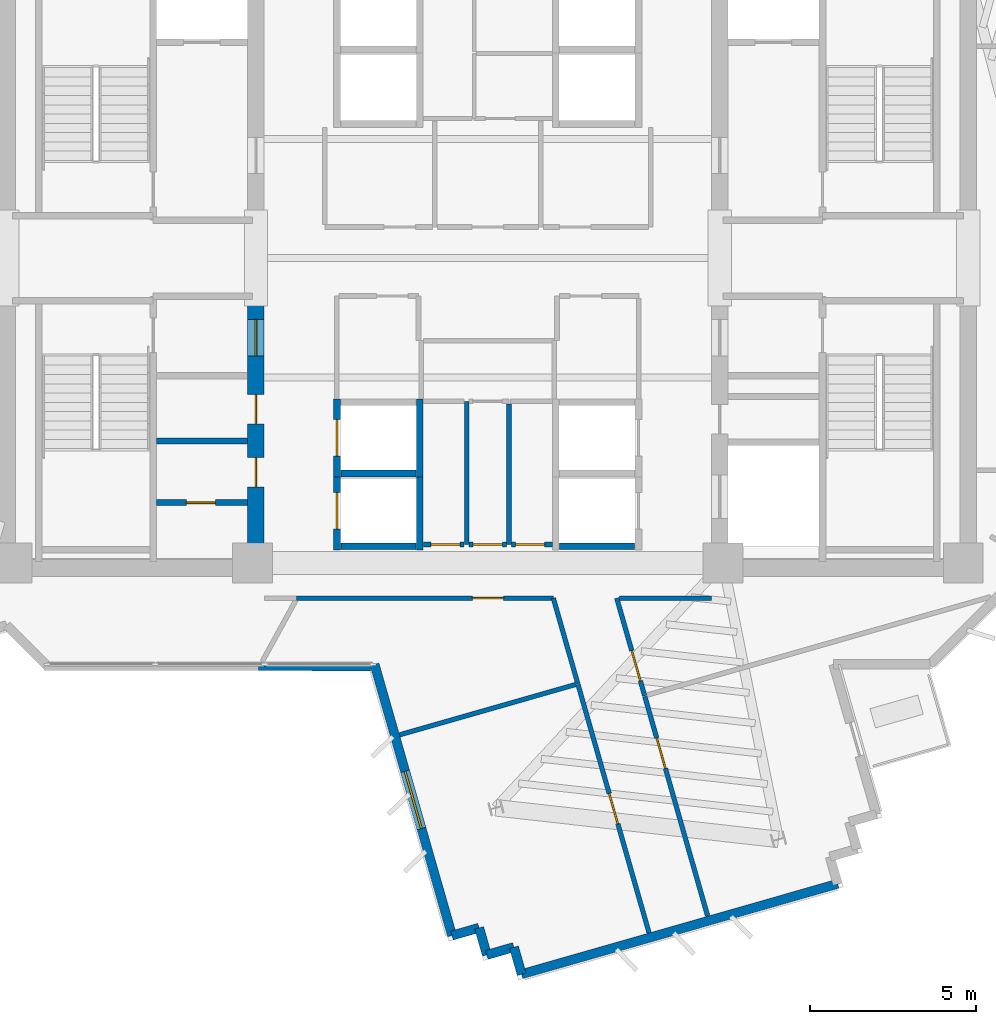
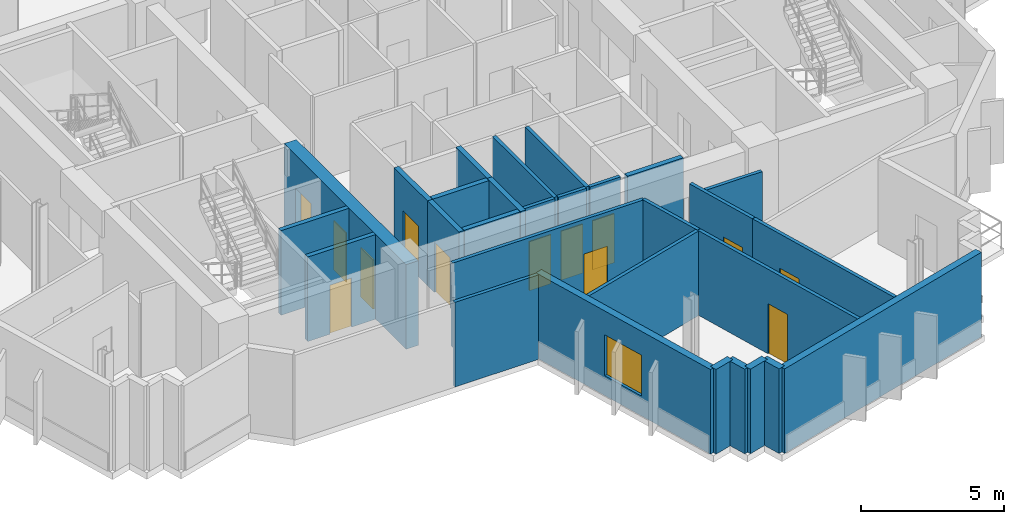
# One storey, part 5 of 14: 29 walls, 13 doors, 1 window, 14 openings.
"""IFC4 building model written with IfcOpenShell, lengths in metres."""

from ifc_helpers import new_model, si_unit, direction, frame, frame_2d, origin, place, context, subcontext, project, spatial, rectangle, extrude, source, transform, mapped, material, layer, layer_set, type_object, element, fill, save


model = new_model("IFC4")

# Units and contexts
model_context = context("Model", 3, precision=1e-05, world=origin(), true_north=direction((0.0, 1.0)))
body_context = subcontext(model_context, "Body", "Model", "MODEL_VIEW")
ifc_project = project(units=[si_unit("LENGTHUNIT", "METRE"), si_unit("AREAUNIT", "SQUARE_METRE"), si_unit("VOLUMEUNIT", "CUBIC_METRE"), si_unit("PLANEANGLEUNIT", "RADIAN"), si_unit("MASSUNIT", "GRAM", prefix="KILO")], contexts=[model_context])

# Site, building, storey
site_placement = place(None, origin())
site = spatial("IfcSite", under=ifc_project, at=site_placement, CompositionType="ELEMENT")
building_placement = place(site_placement, origin())
building = spatial("IfcBuilding", under=site, at=building_placement, Name="Zahravan Cultural Tower", CompositionType="ELEMENT")
storey_placement = place(building_placement, frame((0.0, 0.0, 209.699951171875)))
storey = spatial("IfcBuildingStorey", under=building, at=storey_placement, Name="L49", CompositionType="ELEMENT", Elevation=209.699951171875)

# Wall, openings, doors
ifc_material_1 = material(Name="Concrete C60/75", Category="concrete")
ifc_layer_1 = layer(ifc_material_1, 0.5)
ifc_layer_set_1 = layer_set([ifc_layer_1], Name="Concrete C60/75")
wall_type_1 = type_object("IfcWallType", Name="CW-SHEAR-500-C60", PredefinedType="SHEAR", material=ifc_layer_set_1)
wall_1_placement = place(storey_placement, frame((29.0, 17.39990234375, 0.0), z_axis=(0.0, 0.0, 1.0), x_axis=(0.0, 1.0, 0.0)))
wall_1 = element("IfcWall", 1, at=wall_1_placement, inside=storey, type_object=wall_type_1, Name="L49 Core Shear Wall CW-W-ES-L49", PredefinedType="SHEAR", context=body_context, shape_type="SweptSolid", body=[
    extrude(rectangle(XDim=8.550048828125, YDim=0.5, at=frame_2d((4.27490234375, 0.0))), origin(), (0.0, 0.0, 1.0), 3.6201171875),
])
opening_1_placement = place(wall_1_placement, frame((6.64990234375, 0.0, 0.0)))
opening_1 = element("IfcOpeningElement", 2, at=opening_1_placement, cuts=wall_1, Name="Opening D-L49-07", PredefinedType="OPENING", context=body_context, shape_type="SweptSolid", body=[
    extrude(rectangle(XDim=1.10009765625, YDim=2.199951171875, at=frame_2d((0.550048828125, 1.10009765625))), frame((0.0, 0.260009765625, 0.0), z_axis=(0.0, -1.0, 0.0), x_axis=(1.0, 0.0, 0.0)), (0.0, 0.0, 1.0), 0.52001953125),
])
opening_2_placement = place(wall_1_placement, frame((2.699951171875, 0.0, 0.0)))
opening_2 = element("IfcOpeningElement", 3, at=opening_2_placement, cuts=wall_1, Name="Opening D-L49-10", PredefinedType="OPENING", context=body_context, shape_type="SweptSolid", body=[
    extrude(rectangle(XDim=0.8798828125, YDim=2.10009765625, at=frame_2d((0.43994140625, 1.050048828125))), frame((0.0, 0.260009765625, 0.0), z_axis=(0.0, -1.0, 0.0), x_axis=(1.0, 0.0, 0.0)), (0.0, 0.0, 1.0), 0.52001953125),
])
opening_3_placement = place(wall_1_placement, frame((4.60009765625, 0.0, 0.0)))
opening_3 = element("IfcOpeningElement", 4, at=opening_3_placement, cuts=wall_1, Name="Opening D-L49-11", PredefinedType="OPENING", context=body_context, shape_type="SweptSolid", body=[
    extrude(rectangle(XDim=0.8798828125, YDim=2.10009765625, at=frame_2d((0.43994140625, 1.050048828125))), frame((0.0, 0.260009765625, 0.0), z_axis=(0.0, -1.0, 0.0), x_axis=(1.0, 0.0, 0.0)), (0.0, 0.0, 1.0), 0.52001953125),
])
ifc_material_2 = material(Name="Steel ASTM A572 Grade 50", Category="steel")
door_type_1 = type_object("IfcDoorType", Name="DR-LOBBY-1100", OperationType="NOTDEFINED", PredefinedType="DOOR", material=ifc_material_2)
shared_shape_1 = source(origin(), body_context, "Body", "SweptSolid", [
    extrude(rectangle(XDim=1.10009765625, YDim=2.199951171875, at=frame_2d((0.550048828125, 1.10009765625))), frame((0.0, 0.02490234375, 0.0), z_axis=(0.0, -1.0, 0.0), x_axis=(1.0, 0.0, 0.0)), (0.0, 0.0, 1.0), 0.050048828125),
])
door_1_placement = place(opening_1_placement, origin())
door_1 = element("IfcDoor", 5, at=door_1_placement, inside=storey, type_object=door_type_1, Name="L49 Door D-L49-07", OperationType="SINGLE_SWING_LEFT", OverallHeight=2.199951171875, OverallWidth=1.10009765625, PredefinedType="DOOR", context=body_context, shape_type="MappedRepresentation", body=[
    mapped(shared_shape_1, transform((0.0, 0.0, 0.0), x_axis=(1.0, 0.0, 0.0), y_axis=(0.0, 1.0, 0.0), z_axis=(0.0, 0.0, 1.0), scale=1.0)),
])
fill(opening_1, door_1)
door_type_2 = type_object("IfcDoorType", Name="DR-SVC-880", OperationType="NOTDEFINED", PredefinedType="DOOR", material=ifc_material_2)
shared_shape_2 = source(origin(), body_context, "Body", "SweptSolid", [
    extrude(rectangle(XDim=0.8798828125, YDim=2.10009765625, at=frame_2d((0.43994140625, 1.050048828125))), frame((0.0, 0.02490234375, 0.0), z_axis=(0.0, -1.0, 0.0), x_axis=(1.0, 0.0, 0.0)), (0.0, 0.0, 1.0), 0.050048828125),
])
door_2_placement = place(opening_2_placement, origin())
door_2 = element("IfcDoor", 6, at=door_2_placement, inside=storey, type_object=door_type_2, Name="L49 Door D-L49-10", OperationType="SINGLE_SWING_RIGHT", OverallHeight=2.10009765625, OverallWidth=0.8798828125, PredefinedType="DOOR", context=body_context, shape_type="MappedRepresentation", body=[
    mapped(shared_shape_2, transform((0.0, 0.0, 0.0), x_axis=(1.0, 0.0, 0.0), y_axis=(0.0, 1.0, 0.0), z_axis=(0.0, 0.0, 1.0), scale=1.0)),
])
fill(opening_2, door_2)
door_3_placement = place(opening_3_placement, origin())
door_3 = element("IfcDoor", 7, at=door_3_placement, inside=storey, type_object=door_type_2, Name="L49 Door D-L49-11", OperationType="SINGLE_SWING_LEFT", OverallHeight=2.10009765625, OverallWidth=0.8798828125, PredefinedType="DOOR", context=body_context, shape_type="MappedRepresentation", body=[
    mapped(shared_shape_2, transform((0.0, 0.0, 0.0), x_axis=(1.0, 0.0, 0.0), y_axis=(0.0, 1.0, 0.0), z_axis=(0.0, 0.0, 1.0), scale=1.0)),
])
fill(opening_3, door_3)

# Wall, opening, window
ifc_material_3 = material(Name="Precast concrete C40/50", Category="concrete")
ifc_layer_2 = layer(ifc_material_3, 0.280029296875)
ifc_layer_set_2 = layer_set([ifc_layer_2], Name="Precast concrete C40/50")
wall_type_2 = type_object("IfcWallType", Name="EW-TC-280", PredefinedType="SOLIDWALL", material=ifc_layer_set_2)
wall_2_placement = place(storey_placement, frame((34.920166015625, 6.554931640625, 0.0), z_axis=(0.0, 0.0, 1.0), x_axis=(-0.27496352843, 0.961454657295, 0.0)))
wall_2 = element("IfcWall", 8, at=wall_2_placement, inside=storey, type_object=wall_type_2, Name="L49 Exterior Masonry Frame Wall 25", PredefinedType="SOLIDWALL", context=body_context, shape_type="SweptSolid", body=[
    extrude(rectangle(XDim=8.51318359375, YDim=0.280029296875, at=frame_2d((4.256591796875, 0.0))), origin(), (0.0, 0.0, 1.0), 3.6201171875),
])
opening_4_placement = place(wall_2_placement, frame((3.35693359375, 0.0, 0.85009765625)))
opening_4 = element("IfcOpeningElement", 9, at=opening_4_placement, cuts=wall_2, Name="Opening WN-02", PredefinedType="OPENING", context=body_context, shape_type="SweptSolid", body=[
    extrude(rectangle(XDim=1.800048828125, YDim=1.75, at=frame_2d((0.89990234375, 0.875))), frame((0.0, 0.14990234375, 0.0), z_axis=(0.0, -1.0, 0.0), x_axis=(1.0, 0.0, 0.0)), (0.0, 0.0, 1.0), 0.300048828125),
])
ifc_material_4 = material(Name="Low-E solar-control double glazing", Category="glass")
window_type = type_object("IfcWindowType", Name="WN-REC-1800X1750", PartitioningType="DOUBLE_PANEL_VERTICAL", PredefinedType="WINDOW", material=ifc_material_4)
shared_shape_3 = source(origin(), body_context, "Body", "SweptSolid", [
    extrude(rectangle(XDim=1.800048828125, YDim=1.75, at=frame_2d((0.89990234375, 0.875))), frame((0.0, 0.030029296875, 0.0), z_axis=(0.0, -1.0, 0.0), x_axis=(1.0, 0.0, 0.0)), (0.0, 0.0, 1.0), 0.06005859375),
])
window_placement = place(opening_4_placement, origin())
window = element("IfcWindow", 10, at=window_placement, inside=storey, type_object=window_type, Name="L49 Recessed Solar Window 03", OverallHeight=1.75, OverallWidth=1.800048828125, PartitioningType="DOUBLE_PANEL_VERTICAL", PredefinedType="WINDOW", context=body_context, shape_type="MappedRepresentation", body=[
    mapped(shared_shape_3, transform((0.0, 0.0, 0.0), x_axis=(1.0, 0.0, 0.0), y_axis=(0.0, 1.0, 0.0), z_axis=(0.0, 0.0, 1.0), scale=1.0)),
])
fill(opening_4, window)

# Wall, opening, door
ifc_material_5 = material(Name="Gypsum plasterboard partition")
ifc_layer_3 = layer(ifc_material_5, 0.179931640625)
ifc_layer_set_3 = layer_set([ifc_layer_3], Name="Gypsum plasterboard partition")
wall_type_3 = type_object("IfcWallType", Name="W-COMP-180", PredefinedType="PARTITIONING", material=ifc_layer_set_3)
wall_3_placement = place(storey_placement, frame((26.0, 19.6201171875, 0.0), z_axis=(0.0, 0.0, 1.0), x_axis=(1.0, 0.0, 0.0)))
wall_3 = element("IfcWall", 11, at=wall_3_placement, inside=storey, type_object=wall_type_3, Name="L49 Interior Wall 026", PredefinedType="PARTITIONING", context=body_context, shape_type="SweptSolid", body=[
    extrude(rectangle(XDim=2.75, YDim=0.179931640625, at=frame_2d((1.375, 0.0))), origin(), (0.0, 0.0, 1.0), 3.6201171875),
])
opening_5_placement = place(wall_3_placement, frame((0.89990234375, 0.0, 0.0)))
opening_5 = element("IfcOpeningElement", 12, at=opening_5_placement, cuts=wall_3, Name="Opening D-L49-09", PredefinedType="OPENING", context=body_context, shape_type="SweptSolid", body=[
    extrude(rectangle(XDim=0.8798828125, YDim=2.10009765625, at=frame_2d((0.43994140625, 1.050048828125))), frame((0.0, 0.099853515625, 0.0), z_axis=(0.0, -1.0, 0.0), x_axis=(1.0, 0.0, 0.0)), (0.0, 0.0, 1.0), 0.199951171875),
])
door_4_placement = place(opening_5_placement, origin())
door_4 = element("IfcDoor", 13, at=door_4_placement, inside=storey, type_object=door_type_2, Name="L49 Door D-L49-09", OperationType="SINGLE_SWING_LEFT", OverallHeight=2.10009765625, OverallWidth=0.8798828125, PredefinedType="DOOR", context=body_context, shape_type="MappedRepresentation", body=[
    mapped(shared_shape_2, transform((0.0, 0.0, 0.0), x_axis=(1.0, 0.0, 0.0), y_axis=(0.0, 1.0, 0.0), z_axis=(0.0, 0.0, 1.0), scale=1.0)),
])
fill(opening_5, door_4)

ifc_layer_4 = layer(ifc_material_5, 0.139892578125)
ifc_layer_set_4 = layer_set([ifc_layer_4], Name="Gypsum plasterboard partition")
wall_type_4 = type_object("IfcWallType", Name="W-PART-140", PredefinedType="PARTITIONING", material=ifc_layer_set_4)
wall_4_placement = place(storey_placement, frame((36.56494140625, 18.360107421875, 0.0), z_axis=(0.0, 0.0, 1.0), x_axis=(-1.0, 0.0, 0.0)))
wall_4 = element("IfcWall", 14, at=wall_4_placement, inside=storey, type_object=wall_type_4, Name="L49 Interior Wall 065", PredefinedType="PARTITIONING", context=body_context, shape_type="SweptSolid", body=[
    extrude(rectangle(XDim=1.1298828125, YDim=0.139892578125, at=frame_2d((0.56494140625, 0.0))), origin(), (0.0, 0.0, 1.0), 3.6201171875),
])
opening_6_placement = place(wall_4_placement, frame((0.125, 0.0, 0.0)))
opening_6 = element("IfcOpeningElement", 15, at=opening_6_placement, cuts=wall_4, Name="Opening D-L49-21", PredefinedType="OPENING", context=body_context, shape_type="SweptSolid", body=[
    extrude(rectangle(XDim=0.8798828125, YDim=2.10009765625, at=frame_2d((0.43994140625, 1.050048828125))), frame((0.0, 0.079833984375, 0.0), z_axis=(0.0, -1.0, 0.0), x_axis=(1.0, 0.0, 0.0)), (0.0, 0.0, 1.0), 0.159912109375),
])
ifc_material_6 = material(Name="Anodised bronze-aluminium mullion", Category="aluminium")
door_type_3 = type_object("IfcDoorType", Name="DR-ROOM-880", OperationType="NOTDEFINED", PredefinedType="DOOR", material=ifc_material_6)
door_5_placement = place(opening_6_placement, origin())
door_5 = element("IfcDoor", 16, at=door_5_placement, inside=storey, type_object=door_type_3, Name="L49 Door D-L49-21", OperationType="SINGLE_SWING_LEFT", OverallHeight=2.10009765625, OverallWidth=0.8798828125, PredefinedType="DOOR", context=body_context, shape_type="MappedRepresentation", body=[
    mapped(shared_shape_2, transform((0.0, 0.0, 0.0), x_axis=(1.0, 0.0, 0.0), y_axis=(0.0, 1.0, 0.0), z_axis=(0.0, 0.0, 1.0), scale=1.0)),
])
fill(opening_6, door_5)

wall_5_placement = place(storey_placement, frame((35.284912109375, 18.360107421875, 0.0), z_axis=(0.0, 0.0, 1.0), x_axis=(-1.0, 0.0, 0.0)))
wall_5 = element("IfcWall", 17, at=wall_5_placement, inside=storey, type_object=wall_type_4, Name="L49 Interior Wall 067", PredefinedType="PARTITIONING", context=body_context, shape_type="SweptSolid", body=[
    extrude(rectangle(XDim=1.22998046875, YDim=0.139892578125, at=frame_2d((0.614990234375, 0.0))), origin(), (0.0, 0.0, 1.0), 3.6201171875),
])
opening_7_placement = place(wall_5_placement, frame((0.12255859375, 0.0, 0.0)))
opening_7 = element("IfcOpeningElement", 18, at=opening_7_placement, cuts=wall_5, Name="Opening D-L49-20", PredefinedType="OPENING", context=body_context, shape_type="SweptSolid", body=[
    extrude(rectangle(XDim=0.8798828125, YDim=2.10009765625, at=frame_2d((0.43994140625, 1.050048828125))), frame((0.0, 0.079833984375, 0.0), z_axis=(0.0, -1.0, 0.0), x_axis=(1.0, 0.0, 0.0)), (0.0, 0.0, 1.0), 0.159912109375),
])
door_6_placement = place(opening_7_placement, origin())
door_6 = element("IfcDoor", 19, at=door_6_placement, inside=storey, type_object=door_type_3, Name="L49 Door D-L49-20", OperationType="SINGLE_SWING_RIGHT", OverallHeight=2.10009765625, OverallWidth=0.8798828125, PredefinedType="DOOR", context=body_context, shape_type="MappedRepresentation", body=[
    mapped(shared_shape_2, transform((0.0, 0.0, 0.0), x_axis=(1.0, 0.0, 0.0), y_axis=(0.0, 1.0, 0.0), z_axis=(0.0, 0.0, 1.0), scale=1.0)),
])
fill(opening_7, door_6)

wall_6_placement = place(storey_placement, frame((37.945068359375, 18.360107421875, 0.0), z_axis=(0.0, 0.0, 1.0), x_axis=(-1.0, 0.0, 0.0)))
wall_6 = element("IfcWall", 20, at=wall_6_placement, inside=storey, type_object=wall_type_4, Name="L49 Interior Wall 069", PredefinedType="PARTITIONING", context=body_context, shape_type="SweptSolid", body=[
    extrude(rectangle(XDim=1.22998046875, YDim=0.139892578125, at=frame_2d((0.614990234375, 0.0))), origin(), (0.0, 0.0, 1.0), 3.6201171875),
])
opening_8_placement = place(wall_6_placement, frame((0.2275390625, 0.0, 0.0)))
opening_8 = element("IfcOpeningElement", 21, at=opening_8_placement, cuts=wall_6, Name="Opening D-L49-22", PredefinedType="OPENING", context=body_context, shape_type="SweptSolid", body=[
    extrude(rectangle(XDim=0.8798828125, YDim=2.10009765625, at=frame_2d((0.43994140625, 1.050048828125))), frame((0.0, 0.079833984375, 0.0), z_axis=(0.0, -1.0, 0.0), x_axis=(1.0, 0.0, 0.0)), (0.0, 0.0, 1.0), 0.159912109375),
])
door_7_placement = place(opening_8_placement, origin())
door_7 = element("IfcDoor", 22, at=door_7_placement, inside=storey, type_object=door_type_3, Name="L49 Door D-L49-22", OperationType="SINGLE_SWING_RIGHT", OverallHeight=2.10009765625, OverallWidth=0.8798828125, PredefinedType="DOOR", context=body_context, shape_type="MappedRepresentation", body=[
    mapped(shared_shape_2, transform((0.0, 0.0, 0.0), x_axis=(1.0, 0.0, 0.0), y_axis=(0.0, 1.0, 0.0), z_axis=(0.0, 0.0, 1.0), scale=1.0)),
])
fill(opening_8, door_7)

wall_7_placement = place(storey_placement, frame((40.734130859375, 13.79248046875, 0.0), z_axis=(0.0, 0.0, 1.0), x_axis=(-0.274984067599, 0.961448783122, 0.0)))
wall_7 = element("IfcWall", 23, at=wall_7_placement, inside=storey, type_object=wall_type_4, Name="L49 Interior Wall 088", PredefinedType="PARTITIONING", context=body_context, shape_type="SweptSolid", body=[
    extrude(rectangle(XDim=3.065673828125, YDim=0.139892578125, at=frame_2d((1.53271484375, 0.0))), origin(), (0.0, 0.0, 1.0), 3.6201171875),
])
opening_9_placement = place(wall_7_placement, frame((0.46533203125, 0.0, 0.0)))
opening_9 = element("IfcOpeningElement", 24, at=opening_9_placement, cuts=wall_7, Name="Opening D-L49-32", PredefinedType="OPENING", context=body_context, shape_type="SweptSolid", body=[
    extrude(rectangle(XDim=0.949951171875, YDim=2.14990234375, at=frame_2d((0.47509765625, 1.074951171875))), frame((0.0, 0.079833984375, 0.0), z_axis=(0.0, -1.0, 0.0), x_axis=(1.0, 0.0, 0.0)), (0.0, 0.0, 1.0), 0.159912109375),
])
door_type_4 = type_object("IfcDoorType", Name="DR-ROOM-950", OperationType="NOTDEFINED", PredefinedType="DOOR", material=ifc_material_6)
shared_shape_4 = source(origin(), body_context, "Body", "SweptSolid", [
    extrude(rectangle(XDim=0.949951171875, YDim=2.14990234375, at=frame_2d((0.47509765625, 1.074951171875))), frame((0.0, 0.02490234375, 0.0), z_axis=(0.0, -1.0, 0.0), x_axis=(1.0, 0.0, 0.0)), (0.0, 0.0, 1.0), 0.050048828125),
])
door_8_placement = place(opening_9_placement, origin())
door_8 = element("IfcDoor", 25, at=door_8_placement, inside=storey, type_object=door_type_4, Name="L49 Door D-L49-32", OperationType="SINGLE_SWING_RIGHT", OverallHeight=2.14990234375, OverallWidth=0.949951171875, PredefinedType="DOOR", context=body_context, shape_type="MappedRepresentation", body=[
    mapped(shared_shape_4, transform((0.0, 0.0, 0.0), x_axis=(1.0, 0.0, 0.0), y_axis=(0.0, 1.0, 0.0), z_axis=(0.0, 0.0, 1.0), scale=1.0)),
])
fill(opening_9, door_8)

wall_8_placement = place(storey_placement, frame((30.224609375, 16.739990234375, 0.0), z_axis=(0.0, 0.0, 1.0), x_axis=(1.0, 0.0, 0.0)))
wall_8 = element("IfcWall", 26, at=wall_8_placement, inside=storey, type_object=wall_type_4, Name="L49 Interior Wall 096", PredefinedType="PARTITIONING", context=body_context, shape_type="SweptSolid", body=[
    extrude(rectangle(XDim=7.752685546875, YDim=0.139892578125, at=frame_2d((3.87646484375, 0.0))), origin(), (0.0, 0.0, 1.0), 3.6201171875),
])
opening_10_placement = place(wall_8_placement, frame((5.30615234375, 0.0, 0.0)))
opening_10 = element("IfcOpeningElement", 27, at=opening_10_placement, cuts=wall_8, Name="Opening D-L49-30", PredefinedType="OPENING", context=body_context, shape_type="SweptSolid", body=[
    extrude(rectangle(XDim=0.949951171875, YDim=2.14990234375, at=frame_2d((0.47509765625, 1.074951171875))), frame((0.0, 0.079833984375, 0.0), z_axis=(0.0, -1.0, 0.0), x_axis=(1.0, 0.0, 0.0)), (0.0, 0.0, 1.0), 0.159912109375),
])
door_9_placement = place(opening_10_placement, origin())
door_9 = element("IfcDoor", 28, at=door_9_placement, inside=storey, type_object=door_type_4, Name="L49 Door D-L49-30", OperationType="SINGLE_SWING_RIGHT", OverallHeight=2.14990234375, OverallWidth=0.949951171875, PredefinedType="DOOR", context=body_context, shape_type="MappedRepresentation", body=[
    mapped(shared_shape_4, transform((0.0, 0.0, 0.0), x_axis=(1.0, 0.0, 0.0), y_axis=(0.0, 1.0, 0.0), z_axis=(0.0, 0.0, 1.0), scale=1.0)),
])
fill(opening_10, door_9)

wall_9_placement = place(storey_placement, frame((42.635498046875, 7.14404296875, 0.0), z_axis=(0.0, 0.0, 1.0), x_axis=(-0.274973646468, 0.96145176361, 0.0)))
wall_9 = element("IfcWall", 29, at=wall_9_placement, inside=storey, type_object=wall_type_4, Name="L49 Interior Wall 101", PredefinedType="PARTITIONING", context=body_context, shape_type="SweptSolid", body=[
    extrude(rectangle(XDim=6.895263671875, YDim=0.139892578125, at=frame_2d((3.44775390625, 0.0))), origin(), (0.0, 0.0, 1.0), 3.6201171875),
])
opening_11_placement = place(wall_9_placement, frame((4.63720703125, 0.0, 0.0)))
opening_11 = element("IfcOpeningElement", 30, at=opening_11_placement, cuts=wall_9, Name="Opening D-L49-33", PredefinedType="OPENING", context=body_context, shape_type="SweptSolid", body=[
    extrude(rectangle(XDim=0.949951171875, YDim=2.14990234375, at=frame_2d((0.47509765625, 1.074951171875))), frame((0.0, 0.079833984375, 0.0), z_axis=(0.0, -1.0, 0.0), x_axis=(1.0, 0.0, 0.0)), (0.0, 0.0, 1.0), 0.159912109375),
])
door_10_placement = place(opening_11_placement, origin())
door_10 = element("IfcDoor", 31, at=door_10_placement, inside=storey, type_object=door_type_4, Name="L49 Door D-L49-33", OperationType="SINGLE_SWING_LEFT", OverallHeight=2.14990234375, OverallWidth=0.949951171875, PredefinedType="DOOR", context=body_context, shape_type="MappedRepresentation", body=[
    mapped(shared_shape_4, transform((0.0, 0.0, 0.0), x_axis=(1.0, 0.0, 0.0), y_axis=(0.0, 1.0, 0.0), z_axis=(0.0, 0.0, 1.0), scale=1.0)),
])
fill(opening_11, door_10)

wall_10_placement = place(storey_placement, frame((38.722900390625, 14.1328125, 0.0), z_axis=(0.0, 0.0, 1.0), x_axis=(0.274985856522, -0.96144827147, 0.0)))
wall_10 = element("IfcWall", 32, at=wall_10_placement, inside=storey, type_object=wall_type_4, Name="L49 Interior Wall 103", PredefinedType="PARTITIONING", context=body_context, shape_type="SweptSolid", body=[
    extrude(rectangle(XDim=7.795166015625, YDim=0.139892578125, at=frame_2d((3.8974609375, 0.0))), origin(), (0.0, 0.0, 1.0), 3.6201171875),
])
opening_12_placement = place(wall_10_placement, frame((3.422607421875, 0.0, 0.0)))
opening_12 = element("IfcOpeningElement", 33, at=opening_12_placement, cuts=wall_10, Name="Opening D-L49-31", PredefinedType="OPENING", context=body_context, shape_type="SweptSolid", body=[
    extrude(rectangle(XDim=0.949951171875, YDim=2.14990234375, at=frame_2d((0.47509765625, 1.074951171875))), frame((0.0, 0.079833984375, 0.0), z_axis=(0.0, -1.0, 0.0), x_axis=(1.0, 0.0, 0.0)), (0.0, 0.0, 1.0), 0.159912109375),
])
door_11_placement = place(opening_12_placement, origin())
door_11 = element("IfcDoor", 34, at=door_11_placement, inside=storey, type_object=door_type_4, Name="L49 Door D-L49-31", OperationType="SINGLE_SWING_LEFT", OverallHeight=2.14990234375, OverallWidth=0.949951171875, PredefinedType="DOOR", context=body_context, shape_type="MappedRepresentation", body=[
    mapped(shared_shape_4, transform((0.0, 0.0, 0.0), x_axis=(1.0, 0.0, 0.0), y_axis=(0.0, 1.0, 0.0), z_axis=(0.0, 0.0, 1.0), scale=1.0)),
])
fill(opening_12, door_11)

ifc_material_7 = material(Name="Concrete C45/55", Category="concrete")
ifc_layer_5 = layer(ifc_material_7, 0.199951171875)
ifc_layer_set_5 = layer_set([ifc_layer_5], Name="Concrete C45/55")
wall_type_5 = type_object("IfcWallType", Name="W-SHAFT-200", PredefinedType="SOLIDWALL", material=ifc_layer_set_5)
wall_11_placement = place(storey_placement, frame((31.449951171875, 20.39990234375, 0.0), z_axis=(0.0, 0.0, 1.0), x_axis=(0.0, 1.0, 0.0)))
wall_11 = element("IfcWall", 35, at=wall_11_placement, inside=storey, type_object=wall_type_5, Name="L49 Interior Wall 043", PredefinedType="SOLIDWALL", context=body_context, shape_type="SweptSolid", body=[
    extrude(rectangle(XDim=2.35009765625, YDim=0.199951171875, at=frame_2d((1.175048828125, 0.0))), origin(), (0.0, 0.0, 1.0), 3.6201171875),
])
opening_13_placement = place(wall_11_placement, frame((0.625, 0.0, 0.0)))
opening_13 = element("IfcOpeningElement", 36, at=opening_13_placement, cuts=wall_11, Name="Opening LD-L49-04", PredefinedType="OPENING", context=body_context, shape_type="SweptSolid", body=[
    extrude(rectangle(XDim=1.10009765625, YDim=2.14990234375, at=frame_2d((0.550048828125, 1.074951171875))), frame((0.0, 0.10986328125, 0.0), z_axis=(0.0, -1.0, 0.0), x_axis=(1.0, 0.0, 0.0)), (0.0, 0.0, 1.0), 0.219970703125),
])
door_type_5 = type_object("IfcDoorType", Name="DR-LIFT-1100", OperationType="DOUBLE_DOOR_SLIDING", PredefinedType="DOOR", material=ifc_material_2)
shared_shape_5 = source(origin(), body_context, "Body", "SweptSolid", [
    extrude(rectangle(XDim=1.10009765625, YDim=2.14990234375, at=frame_2d((0.550048828125, 1.074951171875))), frame((0.0, 0.02490234375, 0.0), z_axis=(0.0, -1.0, 0.0), x_axis=(1.0, 0.0, 0.0)), (0.0, 0.0, 1.0), 0.050048828125),
])
door_12_placement = place(opening_13_placement, origin())
door_12 = element("IfcDoor", 37, at=door_12_placement, inside=storey, type_object=door_type_5, Name="L49 Door LD-L49-04", OperationType="DOUBLE_DOOR_SLIDING", OverallHeight=2.14990234375, OverallWidth=1.10009765625, PredefinedType="DOOR", context=body_context, shape_type="MappedRepresentation", body=[
    mapped(shared_shape_5, transform((0.0, 0.0, 0.0), x_axis=(1.0, 0.0, 0.0), y_axis=(0.0, 1.0, 0.0), z_axis=(0.0, 0.0, 1.0), scale=1.0)),
])
fill(opening_13, door_12)

wall_12_placement = place(storey_placement, frame((31.449951171875, 18.199951171875, 0.0), z_axis=(0.0, 0.0, 1.0), x_axis=(0.0, 1.0, 0.0)))
wall_12 = element("IfcWall", 38, at=wall_12_placement, inside=storey, type_object=wall_type_5, Name="L49 Interior Wall 047", PredefinedType="SOLIDWALL", context=body_context, shape_type="SweptSolid", body=[
    extrude(rectangle(XDim=2.35009765625, YDim=0.199951171875, at=frame_2d((1.175048828125, 0.0))), origin(), (0.0, 0.0, 1.0), 3.6201171875),
])
opening_14_placement = place(wall_12_placement, frame((0.625, 0.0, 0.0)))
opening_14 = element("IfcOpeningElement", 39, at=opening_14_placement, cuts=wall_12, Name="Opening LD-L49-05", PredefinedType="OPENING", context=body_context, shape_type="SweptSolid", body=[
    extrude(rectangle(XDim=1.10009765625, YDim=2.14990234375, at=frame_2d((0.550048828125, 1.074951171875))), frame((0.0, 0.10986328125, 0.0), z_axis=(0.0, -1.0, 0.0), x_axis=(1.0, 0.0, 0.0)), (0.0, 0.0, 1.0), 0.219970703125),
])
door_13_placement = place(opening_14_placement, origin())
door_13 = element("IfcDoor", 40, at=door_13_placement, inside=storey, type_object=door_type_5, Name="L49 Door LD-L49-05", OperationType="DOUBLE_DOOR_SLIDING", OverallHeight=2.14990234375, OverallWidth=1.10009765625, PredefinedType="DOOR", context=body_context, shape_type="MappedRepresentation", body=[
    mapped(shared_shape_5, transform((0.0, 0.0, 0.0), x_axis=(1.0, 0.0, 0.0), y_axis=(0.0, 1.0, 0.0), z_axis=(0.0, 0.0, 1.0), scale=1.0)),
])
fill(opening_14, door_13)

# Walls
shared_shape_6 = source(origin(), body_context, "Body", "SweptSolid", [
    extrude(rectangle(XDim=0.85009765625, YDim=0.280029296875, at=frame_2d((0.425048828125, 0.0))), origin(), (0.0, 0.0, 1.0), 3.6201171875),
])
wall_13_placement = place(storey_placement, frame((35.970947265625, 5.971435546875, 0.0), z_axis=(0.0, 0.0, 1.0), x_axis=(-0.274834915789, 0.961491429532, 0.0)))
element("IfcWall", 41, at=wall_13_placement, inside=storey, type_object=wall_type_2, Name="L49 Exterior Masonry Frame Wall 23", PredefinedType="SOLIDWALL", context=body_context, shape_type="MappedRepresentation", body=[
    mapped(shared_shape_6, transform((0.0, 0.0, 0.0), x_axis=(1.0, 0.0, 0.0), y_axis=(0.0, 1.0, 0.0), z_axis=(0.0, 0.0, 1.0), scale=1.0)),
])
shared_shape_7 = source(origin(), body_context, "Body", "SweptSolid", [
    extrude(rectangle(XDim=0.849853515625, YDim=0.280029296875, at=frame_2d((0.4248046875, 0.0))), origin(), (0.0, 0.0, 1.0), 3.6201171875),
])
for number, where, z_axis, x_axis, name in (
    (42, (37.02197265625, 5.387939453125, 0.0), (0.0, 0.0, 1.0), (-0.275176346112, 0.961393768724, 0.0), "L49 Exterior Masonry Frame Wall 21"),
    (43, (36.7880859375, 6.205078125, 0.0), (0.0, 0.0, 1.0), (-0.961469728335, -0.274910824624, 0.0), "L49 Exterior Masonry Frame Wall 22"),
    (44, (35.7373046875, 6.788818359375, 0.0), (0.0, 0.0, 1.0), (-0.961393768724, -0.275176346112, 0.0), "L49 Exterior Masonry Frame Wall 24"),
):
    element("IfcWall", number, at=place(storey_placement, frame(where, z_axis=z_axis, x_axis=x_axis)), inside=storey, type_object=wall_type_2, Name=name, PredefinedType="SOLIDWALL", context=body_context, shape_type="MappedRepresentation", body=[
        mapped(shared_shape_7, transform((0.0, 0.0, 0.0), x_axis=(1.0, 0.0, 0.0), y_axis=(0.0, 1.0, 0.0), z_axis=(0.0, 0.0, 1.0), scale=1.0)),
    ])
shared_shape_8 = source(origin(), body_context, "Body", "SweptSolid", [
    extrude(rectangle(XDim=9.919921875, YDim=0.280029296875, at=frame_2d((4.9599609375, 0.0))), origin(), (0.0, 0.0, 1.0), 3.6201171875),
])
wall_14_placement = place(storey_placement, frame((46.5595703125, 8.115478515625, 0.0), z_axis=(0.0, 0.0, 1.0), x_axis=(-0.961457051276, -0.274955157346, 0.0)))
element("IfcWall", 45, at=wall_14_placement, inside=storey, type_object=wall_type_2, Name="L49 Exterior Masonry Frame Wall 20", PredefinedType="SOLIDWALL", context=body_context, shape_type="MappedRepresentation", body=[
    mapped(shared_shape_8, transform((0.0, 0.0, 0.0), x_axis=(1.0, 0.0, 0.0), y_axis=(0.0, 1.0, 0.0), z_axis=(0.0, 0.0, 1.0), scale=1.0)),
])
shared_shape_9 = source(origin(), body_context, "Body", "SweptSolid", [
    extrude(rectangle(XDim=2.75, YDim=0.179931640625, at=frame_2d((1.375, 0.0))), origin(), (0.0, 0.0, 1.0), 3.6201171875),
])
wall_15_placement = place(storey_placement, frame((26.0, 21.47998046875, 0.0), z_axis=(0.0, 0.0, 1.0), x_axis=(1.0, 0.0, 0.0)))
element("IfcWall", 46, at=wall_15_placement, inside=storey, type_object=wall_type_3, Name="L49 Interior Wall 027", PredefinedType="PARTITIONING", context=body_context, shape_type="MappedRepresentation", body=[
    mapped(shared_shape_9, transform((0.0, 0.0, 0.0), x_axis=(1.0, 0.0, 0.0), y_axis=(0.0, 1.0, 0.0), z_axis=(0.0, 0.0, 1.0), scale=1.0)),
])
shared_shape_10 = source(origin(), body_context, "Body", "SweptSolid", [
    extrude(rectangle(XDim=2.260009765625, YDim=0.199951171875, at=frame_2d((1.1298828125, 0.0))), origin(), (0.0, 0.0, 1.0), 3.6201171875),
])
for number, where, z_axis, x_axis, name in (
    (47, (31.570068359375, 20.5, 0.0), (0.0, 0.0, 1.0), (1.0, 0.0, 0.0), "L49 Interior Wall 045"),
    (48, (31.570068359375, 18.300048828125, 0.0), (0.0, 0.0, 1.0), (1.0, 0.0, 0.0), "L49 Interior Wall 049"),
    (49, (38.169921875, 18.300048828125, 0.0), (0.0, 0.0, 1.0), (1.0, 0.0, 0.0), "L49 Interior Wall 056"),
):
    element("IfcWall", number, at=place(storey_placement, frame(where, z_axis=z_axis, x_axis=x_axis)), inside=storey, type_object=wall_type_5, Name=name, PredefinedType="SOLIDWALL", context=body_context, shape_type="MappedRepresentation", body=[
        mapped(shared_shape_10, transform((0.0, 0.0, 0.0), x_axis=(1.0, 0.0, 0.0), y_axis=(0.0, 1.0, 0.0), z_axis=(0.0, 0.0, 1.0), scale=1.0)),
    ])
shared_shape_11 = source(origin(), body_context, "Body", "SweptSolid", [
    extrude(rectangle(XDim=2.35009765625, YDim=0.199951171875, at=frame_2d((1.175048828125, 0.0))), origin(), (0.0, 0.0, 1.0), 3.6201171875),
])
for number, where, z_axis, x_axis, name in (
    (50, (33.949951171875, 20.39990234375, 0.0), (0.0, 0.0, 1.0), (0.0, 1.0, 0.0), "L49 Interior Wall 044"),
    (51, (33.949951171875, 18.199951171875, 0.0), (0.0, 0.0, 1.0), (0.0, 1.0, 0.0), "L49 Interior Wall 048"),
):
    element("IfcWall", number, at=place(storey_placement, frame(where, z_axis=z_axis, x_axis=x_axis)), inside=storey, type_object=wall_type_5, Name=name, PredefinedType="SOLIDWALL", context=body_context, shape_type="MappedRepresentation", body=[
        mapped(shared_shape_11, transform((0.0, 0.0, 0.0), x_axis=(1.0, 0.0, 0.0), y_axis=(0.0, 1.0, 0.0), z_axis=(0.0, 0.0, 1.0), scale=1.0)),
    ])
shared_shape_12 = source(origin(), body_context, "Body", "SweptSolid", [
    extrude(rectangle(XDim=4.31982421875, YDim=0.139892578125, at=frame_2d((2.159912109375, 0.0))), origin(), (0.0, 0.0, 1.0), 3.6201171875),
])
wall_16_placement = place(storey_placement, frame((35.360107421875, 18.360107421875, 0.0), z_axis=(0.0, 0.0, 1.0), x_axis=(0.0, 1.0, 0.0)))
element("IfcWall", 52, at=wall_16_placement, inside=storey, type_object=wall_type_4, Name="L49 Interior Wall 062", PredefinedType="PARTITIONING", context=body_context, shape_type="MappedRepresentation", body=[
    mapped(shared_shape_12, transform((0.0, 0.0, 0.0), x_axis=(1.0, 0.0, 0.0), y_axis=(0.0, 1.0, 0.0), z_axis=(0.0, 0.0, 1.0), scale=1.0)),
])
shared_shape_13 = source(origin(), body_context, "Body", "SweptSolid", [
    extrude(rectangle(XDim=4.244873046875, YDim=0.139892578125, at=frame_2d((2.12255859375, 0.0))), origin(), (0.0, 0.0, 1.0), 3.6201171875),
])
wall_17_placement = place(storey_placement, frame((36.639892578125, 22.60498046875, 0.0), z_axis=(0.0, 0.0, 1.0), x_axis=(0.0, -1.0, 0.0)))
element("IfcWall", 53, at=wall_17_placement, inside=storey, type_object=wall_type_4, Name="L49 Interior Wall 064", PredefinedType="PARTITIONING", context=body_context, shape_type="MappedRepresentation", body=[
    mapped(shared_shape_13, transform((0.0, 0.0, 0.0), x_axis=(1.0, 0.0, 0.0), y_axis=(0.0, 1.0, 0.0), z_axis=(0.0, 0.0, 1.0), scale=1.0)),
])
shared_shape_14 = source(origin(), body_context, "Body", "SweptSolid", [
    extrude(rectangle(XDim=2.691650390625, YDim=0.139892578125, at=frame_2d((1.345703125, 0.0))), origin(), (0.0, 0.0, 1.0), 3.6201171875),
])
wall_18_placement = place(storey_placement, frame((37.977294921875, 16.739990234375, 0.0), z_axis=(0.0, 0.0, 1.0), x_axis=(0.27500862401, -0.961441759401, 0.0)))
element("IfcWall", 54, at=wall_18_placement, inside=storey, type_object=wall_type_4, Name="L49 Interior Wall 097", PredefinedType="PARTITIONING", context=body_context, shape_type="MappedRepresentation", body=[
    mapped(shared_shape_14, transform((0.0, 0.0, 0.0), x_axis=(1.0, 0.0, 0.0), y_axis=(0.0, 1.0, 0.0), z_axis=(0.0, 0.0, 1.0), scale=1.0)),
])
shared_shape_15 = source(origin(), body_context, "Body", "SweptSolid", [
    extrude(rectangle(XDim=5.520263671875, YDim=0.139892578125, at=frame_2d((2.76025390625, 0.0))), origin(), (0.0, 0.0, 1.0), 3.6201171875),
])
wall_19_placement = place(storey_placement, frame((38.6455078125, 14.13134765625, 0.0), z_axis=(0.0, 0.0, 1.0), x_axis=(-0.961455490798, -0.274960613933, 0.0)))
element("IfcWall", 55, at=wall_19_placement, inside=storey, type_object=wall_type_4, Name="L49 Interior Wall 098", PredefinedType="PARTITIONING", context=body_context, shape_type="MappedRepresentation", body=[
    mapped(shared_shape_15, transform((0.0, 0.0, 0.0), x_axis=(1.0, 0.0, 0.0), y_axis=(0.0, 1.0, 0.0), z_axis=(0.0, 0.0, 1.0), scale=1.0)),
])
shared_shape_16 = source(origin(), body_context, "Body", "SweptSolid", [
    extrude(rectangle(XDim=3.385498046875, YDim=0.139892578125, at=frame_2d((1.69287109375, 0.0))), origin(), (0.0, 0.0, 1.0), 3.6201171875),
])
wall_20_placement = place(storey_placement, frame((32.464111328125, 14.615478515625, 0.0), z_axis=(0.0, 0.0, 1.0), x_axis=(-0.999999061333, 0.001370158085, 0.0)))
element("IfcWall", 56, at=wall_20_placement, inside=storey, type_object=wall_type_4, Name="L49 Interior Wall 099", PredefinedType="PARTITIONING", context=body_context, shape_type="MappedRepresentation", body=[
    mapped(shared_shape_16, transform((0.0, 0.0, 0.0), x_axis=(1.0, 0.0, 0.0), y_axis=(0.0, 1.0, 0.0), z_axis=(0.0, 0.0, 1.0), scale=1.0)),
])
shared_shape_17 = source(origin(), body_context, "Body", "SweptSolid", [
    extrude(rectangle(XDim=2.777587890625, YDim=0.139892578125, at=frame_2d((1.388671875, 0.0))), origin(), (0.0, 0.0, 1.0), 3.149169921875),
])
wall_21_placement = place(storey_placement, frame((39.968994140625, 16.739990234375, 0.0), z_axis=(0.0, 0.0, 1.0), x_axis=(0.999999903427, 0.000439483125, 0.0)))
element("IfcWall", 57, at=wall_21_placement, inside=storey, type_object=wall_type_4, Name="L49 Interior Wall 089", PredefinedType="PARTITIONING", context=body_context, shape_type="MappedRepresentation", body=[
    mapped(shared_shape_17, transform((0.0, 0.0, 0.0), x_axis=(1.0, 0.0, 0.0), y_axis=(0.0, 1.0, 0.0), z_axis=(0.0, 0.0, 1.0), scale=1.0)),
])

save(model, "model.ifc")
